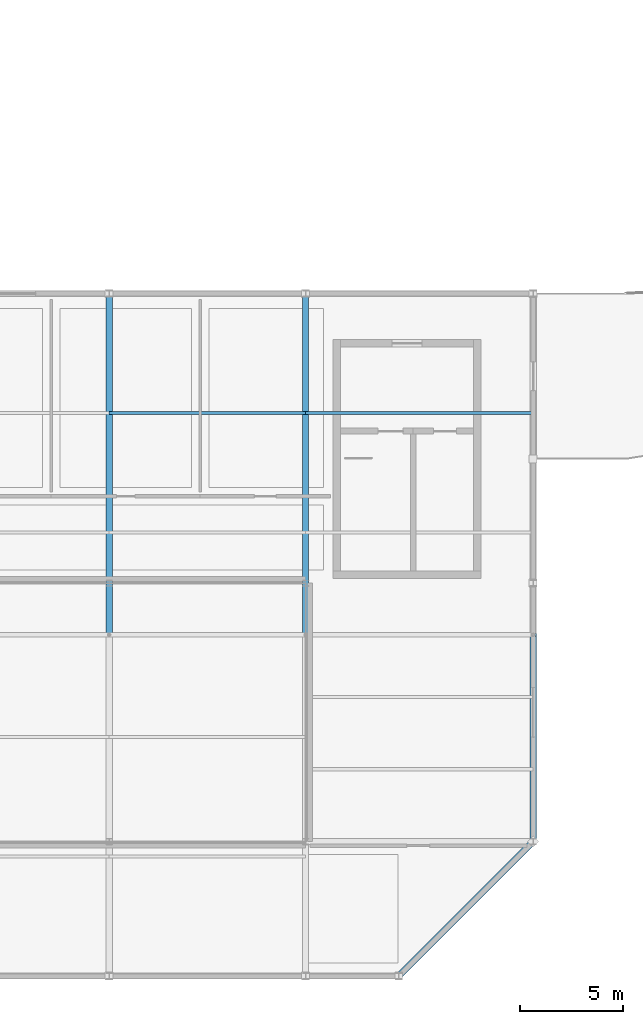
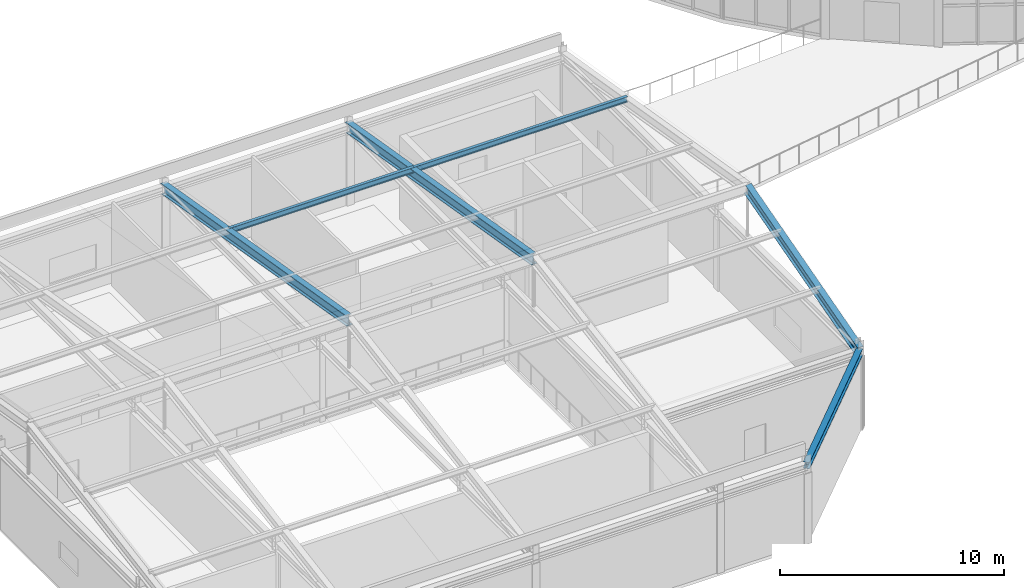
# One storey, part 24 of 108: 5 members, 1 beam.
"""IFC4 building model written with IfcOpenShell, lengths in metres."""

from ifc_helpers import new_model, si_unit, direction, frame, origin, origin_2d, place, context, subcontext, project, spatial, i_section, extrude, material, material_profile, profile_set, type_object, element, save


model = new_model("IFC4")

# Units and contexts
model_context = context("Model", 3, precision=1e-05, world=origin(), true_north=direction((0.0, 1.0)))
body_context = subcontext(model_context, "Body", "Model", "MODEL_VIEW")
ifc_project = project(units=[si_unit("LENGTHUNIT", "METRE"), si_unit("AREAUNIT", "SQUARE_METRE"), si_unit("VOLUMEUNIT", "CUBIC_METRE"), si_unit("PLANEANGLEUNIT", "RADIAN"), si_unit("MASSUNIT", "GRAM", prefix="KILO")], contexts=[model_context])

# Site, building, storey
site_placement = place(None, origin())
site = spatial("IfcSite", under=ifc_project, at=site_placement, CompositionType="ELEMENT")
building_placement = place(site_placement, origin())
building = spatial("IfcBuilding", under=site, at=building_placement, Name="Tarnveldt Headland Concert Hall", CompositionType="ELEMENT")
storey_placement = place(building_placement, frame((0.0, 0.0, 9.60009765625)))
storey = spatial("IfcBuildingStorey", under=building, at=storey_placement, Name="L02", CompositionType="ELEMENT", Elevation=9.60009765625)

# Members
ifc_material = material(Name="Steel S355", Category="steel")
ifc_material_profile_1 = material_profile(ifc_material, i_section(OverallWidth=0.14990234375, OverallDepth=0.300048828125, WebThickness=0.007080078125, FlangeThickness=0.0107421875, FilletRadius=0.014892578125, at=origin_2d()), Name="IPE300", Category="steel")
ifc_profile_set_1 = profile_set([ifc_material_profile_1], Name="Steel S355")
member_type_1 = type_object("IfcMemberType", Name="PR-IPE300", PredefinedType="PURLIN", material=ifc_profile_set_1)
member_1_placement = place(storey_placement, frame((24.0, 32.22509765625, 5.33984375), z_axis=(1.0, 0.0, 0.0), x_axis=(0.0, 1.0, 0.0)))
element("IfcMember", 1, at=member_1_placement, inside=storey, type_object=member_type_1, Name="Chamber roof purlin 3N-35", PredefinedType="PURLIN", context=body_context, shape_type="SweptSolid", body=[
    extrude(i_section(OverallWidth=0.14990234375, OverallDepth=0.300048828125, WebThickness=0.007080078125, FlangeThickness=0.0107421875, FilletRadius=0.014892578125, at=origin_2d()), origin(), (0.0, 0.0, 1.0), 9.5),
])
member_2_placement = place(storey_placement, frame((33.5, 32.22509765625, 5.33984375), z_axis=(1.0, 0.0, 0.0), x_axis=(0.0, 1.0, 0.0)))
element("IfcMember", 2, at=member_2_placement, inside=storey, type_object=member_type_1, Name="Chamber roof purlin 4N-35", PredefinedType="PURLIN", context=body_context, shape_type="SweptSolid", body=[
    extrude(i_section(OverallWidth=0.14990234375, OverallDepth=0.300048828125, WebThickness=0.007080078125, FlangeThickness=0.0107421875, FilletRadius=0.014892578125, at=origin_2d()), origin(), (0.0, 0.0, 1.0), 11.0),
])
ifc_material_profile_2 = material_profile(ifc_material, i_section(OverallWidth=0.300048828125, OverallDepth=0.550048828125, WebThickness=0.014892578125, FlangeThickness=0.029052734375, FilletRadius=0.027099609375, at=origin_2d()), Name="HEB550", Category="steel")
ifc_profile_set_2 = profile_set([ifc_material_profile_2], Name="Steel S355")
member_type_2 = type_object("IfcMemberType", Name="RF-HEB550", PredefinedType="RAFTER", material=ifc_profile_set_2)
for number, where, z_axis, x_axis, name in (
    (3, (24.0, 21.5, 6.9599609375), (0.0, 0.985904685139, -0.167307955046), (-1.0, 0.0, 0.0), "ROOF TRUSS Chamber folded rib 24N"),
    (4, (33.5, 21.5, 6.9599609375), (0.0, 0.985904685139, -0.167307955046), (-1.0, 0.0, 0.0), "ROOF TRUSS Chamber folded rib 33N"),
):
    element("IfcMember", number, at=place(storey_placement, frame(where, z_axis=z_axis, x_axis=x_axis)), inside=storey, type_object=member_type_2, Name=name, PredefinedType="RAFTER", context=body_context, shape_type="SweptSolid", body=[
        extrude(i_section(OverallWidth=0.300048828125, OverallDepth=0.550048828125, WebThickness=0.014892578125, FlangeThickness=0.029052734375, FilletRadius=0.027099609375, at=origin_2d()), origin(), (0.0, 0.0, 1.0), 16.73583984375),
    ])
member_3_placement = place(storey_placement, frame((44.5, 11.5, 4.159912109375), z_axis=(0.0, 0.962962798867, 0.26963428565), x_axis=(-1.0, 0.0, 0.0)))
element("IfcMember", 5, at=member_3_placement, inside=storey, type_object=member_type_2, Name="ROOF TRUSS Chamber folded rib 44S", PredefinedType="RAFTER", context=body_context, shape_type="SweptSolid", body=[
    extrude(i_section(OverallWidth=0.300048828125, OverallDepth=0.550048828125, WebThickness=0.014892578125, FlangeThickness=0.029052734375, FilletRadius=0.027099609375, at=origin_2d()), origin(), (0.0, 0.0, 1.0), 10.384521484375),
])

# Beam
ifc_material_profile_3 = material_profile(ifc_material, i_section(OverallWidth=0.300048828125, OverallDepth=0.35009765625, WebThickness=0.010009765625, FlangeThickness=0.017578125, FilletRadius=0.027099609375, at=origin_2d()), Name="HEA360", Category="steel")
ifc_profile_set_3 = profile_set([ifc_material_profile_3], Name="Steel S355")
beam_type = type_object("IfcBeamType", Name="SB-HEA360", PredefinedType="SPANDREL", material=ifc_profile_set_3)
beam_placement = place(storey_placement, frame((38.0, 5.0, 4.159912109375), z_axis=(0.707106781187, 0.707106781187, 0.0), x_axis=(-0.707106781187, 0.707106781187, 0.0)))
element("IfcBeam", 6, at=beam_placement, inside=storey, type_object=beam_type, Name="Chamber prow chamfer eaves beam", PredefinedType="SPANDREL", context=body_context, shape_type="SweptSolid", body=[
    extrude(i_section(OverallWidth=0.300048828125, OverallDepth=0.35009765625, WebThickness=0.010009765625, FlangeThickness=0.017578125, FilletRadius=0.027099609375, at=origin_2d()), origin(), (0.0, 0.0, 1.0), 9.1923828125),
])

save(model, "model.ifc")
